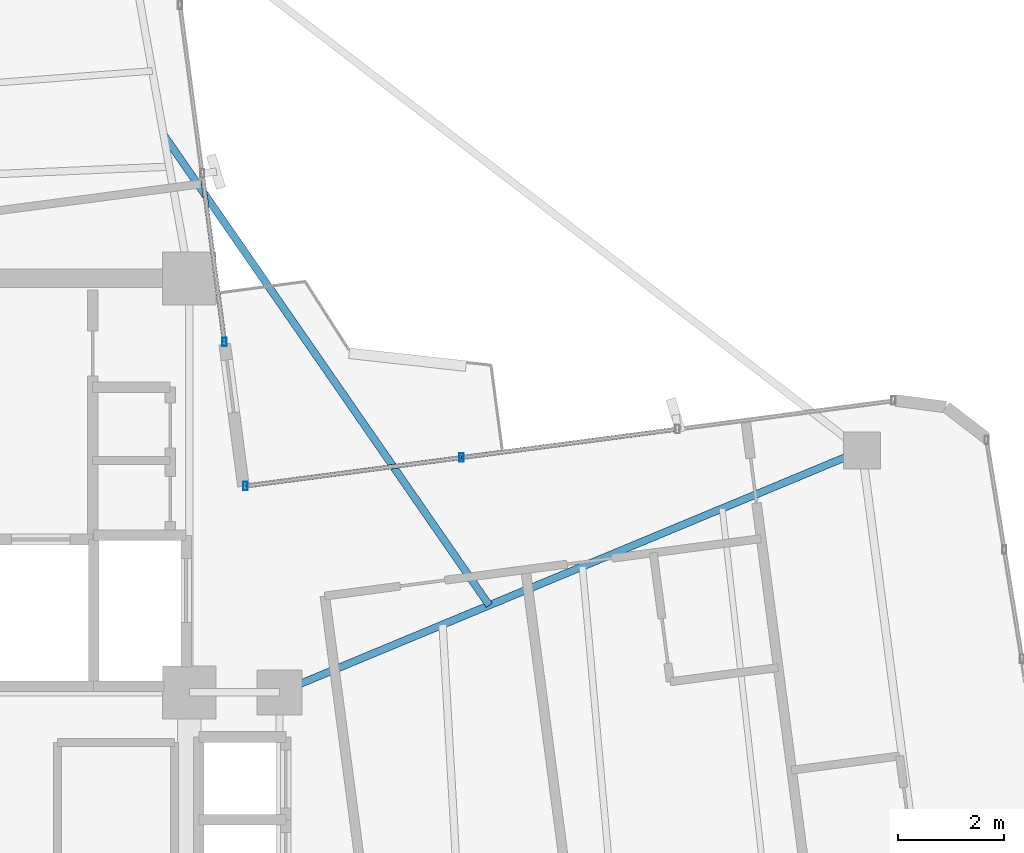
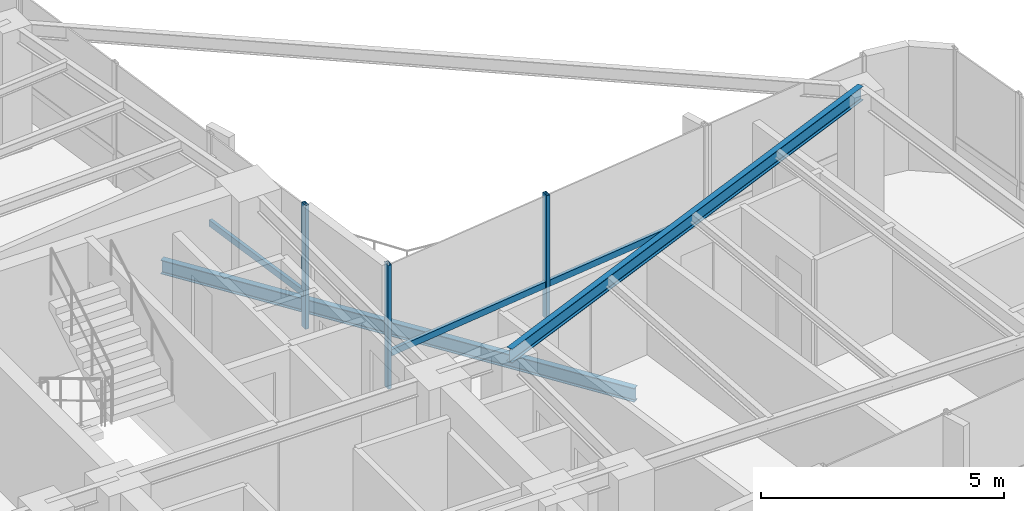
# One storey, part 11 of 22: 6 members, 2 beams, 2 elements without a shape of their own.
"""IFC4 building model written with IfcOpenShell, lengths in metres."""

from ifc_helpers import new_model, si_unit, direction, frame, origin, origin_2d, place, context, subcontext, project, spatial, hollow_rectangle, i_section, extrude, source, transform, mapped, material, material_profile, profile_set, type_object, element, aggregate, save


model = new_model("IFC4")

# Units and contexts
model_context = context("Model", 3, precision=1e-05, world=origin(), true_north=direction((0.0, 1.0)))
body_context = subcontext(model_context, "Body", "Model", "MODEL_VIEW")
ifc_project = project(units=[si_unit("LENGTHUNIT", "METRE"), si_unit("AREAUNIT", "SQUARE_METRE"), si_unit("VOLUMEUNIT", "CUBIC_METRE"), si_unit("PLANEANGLEUNIT", "RADIAN"), si_unit("MASSUNIT", "GRAM", prefix="KILO")], contexts=[model_context])

# Site, building, storey
site_placement = place(None, origin())
site = spatial("IfcSite", under=ifc_project, at=site_placement, CompositionType="ELEMENT")
building_placement = place(site_placement, origin())
building = spatial("IfcBuilding", under=site, at=building_placement, Name="Sahyath Konkavel Grand Hotel", CompositionType="ELEMENT")
storey_placement = place(building_placement, frame((0.0, 0.0, 269.10009765625)))
storey = spatial("IfcBuildingStorey", under=building, at=storey_placement, Name="L75", CompositionType="ELEMENT", Elevation=269.10009765625)

# Beam
ifc_material_1 = material(Name="Steel E350", Category="steel")
ifc_material_profile_1 = material_profile(ifc_material_1, i_section(OverallWidth=0.139892578125, OverallDepth=0.35009765625, WebThickness=0.008056640625, FlangeThickness=0.01416015625, FilletRadius=0.013916015625, at=origin_2d()), Name="ISMB 350")
ifc_profile_set_1 = profile_set([ifc_material_profile_1], Name="Steel E350")
beam_type_1 = type_object("IfcBeamType", Name="BM-ISMB350", PredefinedType="BEAM", material=ifc_profile_set_1)
shared_shape_1 = source(origin(), body_context, "Body", "SweptSolid", [
    extrude(i_section(OverallWidth=0.139892578125, OverallDepth=0.35009765625, WebThickness=0.008056640625, FlangeThickness=0.01416015625, FilletRadius=0.013916015625, at=origin_2d()), origin(), (0.0, 0.0, 1.0), 11.882080078125),
])
beam_1_placement = place(storey_placement, frame((5.5, 2.39990234375, 2.934814453125), z_axis=(0.923435785797, 0.383752979804, 0.0), x_axis=(-0.383752979804, 0.923435785797, 0.0)))
element("IfcBeam", 1, at=beam_1_placement, inside=storey, type_object=beam_type_1, Name="L75 Cruciform Radial Girder EB", PredefinedType="BEAM", context=body_context, shape_type="MappedRepresentation", body=[
    mapped(shared_shape_1, transform((0.0, 0.0, 0.0), scale=1.0)),
])

# Curtain wall, members
ifc_material_2 = material(Name="Anodised Bronze Aluminium & Low-E Glazing", Category="aluminium")
curtain_wall_type = type_object("IfcCurtainWallType", Name="CW-ZONE4", PredefinedType="NOTDEFINED", material=ifc_material_2)
curtain_wall_1_placement = place(storey_placement, origin())
curtain_wall_1 = element("IfcCurtainWall", 2, at=curtain_wall_1_placement, inside=storey, type_object=curtain_wall_type, Name="L75 Unitised Curtain Wall F7", PredefinedType="NOTDEFINED")
ifc_material_3 = material(Name="Anodised Bronze Aluminium", Category="aluminium")
ifc_material_profile_2 = material_profile(ifc_material_3, hollow_rectangle(XDim=0.080078125, YDim=0.159912109375, WallThickness=0.006103515625, at=origin_2d()), Name="RHS 160x80x6")
ifc_profile_set_2 = profile_set([ifc_material_profile_2], Name="Anodised Bronze Aluminium")
member_type_1 = type_object("IfcMemberType", Name="CW-MUL-160", PredefinedType="MULLION", material=ifc_profile_set_2)
shared_shape_2 = source(origin(), body_context, "Body", "SweptSolid", [
    extrude(hollow_rectangle(XDim=0.080078125, YDim=0.159912109375, WallThickness=0.006103515625, at=origin_2d()), origin(), (0.0, 0.0, 1.0), 3.10986328125),
])
member_1_placement = place(storey_placement, frame((8.928955078125, 6.82373046875, 0.0), z_axis=(0.0, 0.0, 1.0), x_axis=(1.0, 0.0, 0.0)))
member_1 = element("IfcMember", 3, at=member_1_placement, type_object=member_type_1, Name="L75 Curtain Wall Mullion F7-2", PredefinedType="MULLION", context=body_context, shape_type="MappedRepresentation", body=[
    mapped(shared_shape_2, transform((0.0, 0.0, 0.0), scale=1.0)),
])
member_2_placement = place(storey_placement, frame((4.86083984375, 6.2880859375, 0.0), z_axis=(0.0, 0.0, 1.0), x_axis=(1.0, 0.0, 0.0)))
member_2 = element("IfcMember", 4, at=member_2_placement, type_object=member_type_1, Name="L75 Curtain Wall Mullion F7-3", PredefinedType="MULLION", context=body_context, shape_type="MappedRepresentation", body=[
    mapped(shared_shape_2, transform((0.0, 0.0, 0.0), scale=1.0)),
])

curtain_wall_2_placement = place(storey_placement, origin())
curtain_wall_2 = element("IfcCurtainWall", 5, at=curtain_wall_2_placement, inside=storey, type_object=curtain_wall_type, Name="L75 Unitised Curtain Wall F8", PredefinedType="NOTDEFINED")
member_3_placement = place(storey_placement, frame((4.46337890625, 8.99951171875, 0.0), z_axis=(0.0, 0.0, 1.0), x_axis=(1.0, 0.0, 0.0)))
member_3 = element("IfcMember", 6, at=member_3_placement, type_object=member_type_1, Name="L75 Curtain Wall Mullion F8-0", PredefinedType="MULLION", context=body_context, shape_type="MappedRepresentation", body=[
    mapped(shared_shape_2, transform((0.0, 0.0, 0.0), scale=1.0)),
])
ifc_material_profile_3 = material_profile(ifc_material_3, hollow_rectangle(XDim=0.080078125, YDim=0.159912109375, WallThickness=0.006103515625, at=origin_2d()), Name="RHS 160x80x6")
ifc_profile_set_3 = profile_set([ifc_material_profile_3], Name="Anodised Bronze Aluminium")
member_type_2 = type_object("IfcMemberType", Name="CW-TRN-160", PredefinedType="USERDEFINED", material=ifc_profile_set_3)
shared_shape_3 = source(origin(), body_context, "Body", "SweptSolid", [
    extrude(hollow_rectangle(XDim=0.080078125, YDim=0.159912109375, WallThickness=0.006103515625, at=origin_2d()), origin(), (0.0, 0.0, 1.0), 3.203369140625),
])
member_4_placement = place(storey_placement, frame((4.46337890625, 8.99951171875, 0.849853515625), z_axis=(-0.130476198668, 0.991451441867, 0.0), x_axis=(-0.991451441867, -0.130476198668, 0.0)))
member_4 = element("IfcMember", 7, at=member_4_placement, type_object=member_type_2, Name="L75 Curtain Wall Transom F8-0-spandrel", ObjectType="TRANSOM", PredefinedType="USERDEFINED", context=body_context, shape_type="MappedRepresentation", body=[
    mapped(shared_shape_3, transform((0.0, 0.0, 0.0), scale=1.0)),
])
aggregate(curtain_wall_2, [member_3, member_4])

# Member
shared_shape_4 = source(origin(), body_context, "Body", "SweptSolid", [
    extrude(hollow_rectangle(XDim=0.080078125, YDim=0.159912109375, WallThickness=0.006103515625, at=origin_2d()), origin(), (0.0, 0.0, 1.0), 4.103271484375),
])
member_5_placement = place(storey_placement, frame((8.928955078125, 6.82373046875, 0.849853515625), z_axis=(-0.991442748161, -0.130542242661, 0.0), x_axis=(0.130542242661, -0.991442748161, 0.0)))
member_5 = element("IfcMember", 8, at=member_5_placement, type_object=member_type_2, Name="L75 Curtain Wall Transom F7-2-spandrel", ObjectType="TRANSOM", PredefinedType="USERDEFINED", context=body_context, shape_type="MappedRepresentation", body=[
    mapped(shared_shape_4, transform((0.0, 0.0, 0.0), scale=1.0)),
])

shared_shape_5 = source(origin(), body_context, "Body", "SweptSolid", [
    extrude(hollow_rectangle(XDim=0.080078125, YDim=0.159912109375, WallThickness=0.006103515625, at=origin_2d()), origin(), (0.0, 0.0, 1.0), 4.103515625),
])
member_6_placement = place(storey_placement, frame((12.997314453125, 7.359619140625, 0.849853515625), z_axis=(-0.991436060505, -0.130593024052, 0.0), x_axis=(0.130593024052, -0.991436060505, 0.0)))
member_6 = element("IfcMember", 9, at=member_6_placement, type_object=member_type_2, Name="L75 Curtain Wall Transom F7-1-spandrel", ObjectType="TRANSOM", PredefinedType="USERDEFINED", context=body_context, shape_type="MappedRepresentation", body=[
    mapped(shared_shape_5, transform((0.0, 0.0, 0.0), scale=1.0)),
])

aggregate(curtain_wall_1, [member_1, member_2, member_6, member_5])

# Beam
ifc_material_profile_4 = material_profile(ifc_material_1, i_section(OverallWidth=0.139892578125, OverallDepth=0.35009765625, WebThickness=0.008056640625, FlangeThickness=0.01416015625, FilletRadius=0.013916015625, at=origin_2d()), Name="ISMB 350")
ifc_profile_set_4 = profile_set([ifc_material_profile_4], Name="Steel E350")
beam_type_2 = type_object("IfcBeamType", Name="BM-BALC-CANT", PredefinedType="BEAM", material=ifc_profile_set_4)
shared_shape_6 = source(origin(), body_context, "Body", "SweptSolid", [
    extrude(i_section(OverallWidth=0.139892578125, OverallDepth=0.35009765625, WebThickness=0.008056640625, FlangeThickness=0.01416015625, FilletRadius=0.013916015625, at=origin_2d()), origin(), (0.0, 0.0, 1.0), 10.778076171875),
])
beam_2_placement = place(storey_placement, frame((9.4501953125, 4.04150390625, -0.4150390625), z_axis=(-0.569013254295, 0.822328350743, 0.0), x_axis=(-0.822328350743, -0.569013254295, 0.0)))
element("IfcBeam", 10, at=beam_2_placement, inside=storey, type_object=beam_type_2, Name="L75 Balcony Cantilever Support Beam NE", PredefinedType="BEAM", context=body_context, shape_type="MappedRepresentation", body=[
    mapped(shared_shape_6, transform((0.0, 0.0, 0.0), scale=1.0)),
])

save(model, "model.ifc")
